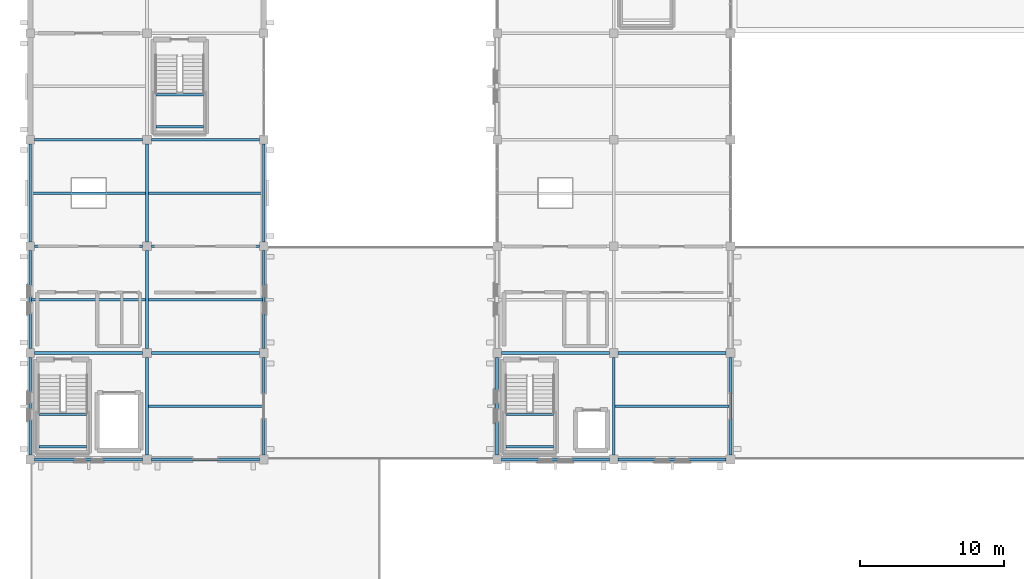
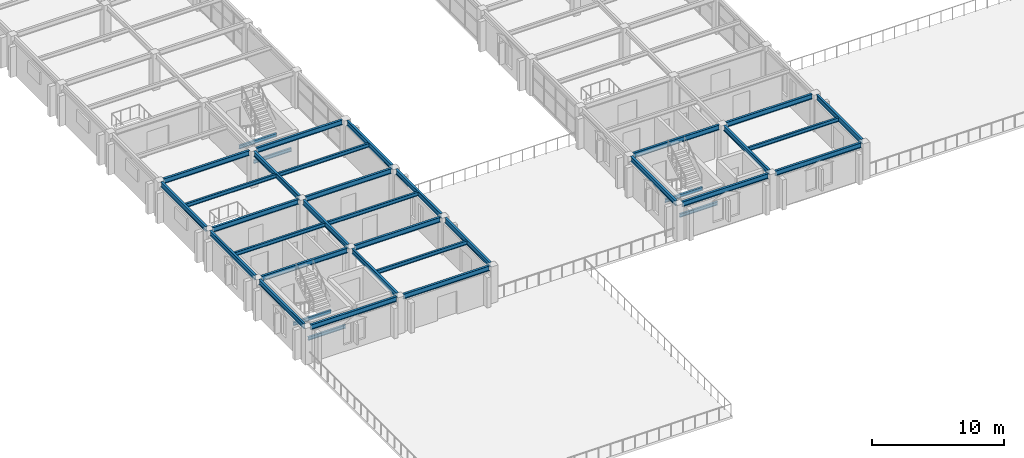
# One storey, part 9 of 121: 36 beams.
"""IFC4 building model written with IfcOpenShell, lengths in metres."""

from ifc_helpers import new_model, si_unit, direction, frame, origin, origin_2d, place, context, subcontext, project, spatial, i_section, extrude, material, material_profile, profile_set, type_object, element, save


model = new_model("IFC4")

# Units and contexts
model_context = context("Model", 3, precision=1e-05, world=origin(), true_north=direction((0.0, 1.0)))
body_context = subcontext(model_context, "Body", "Model", "MODEL_VIEW")
ifc_project = project(units=[si_unit("LENGTHUNIT", "METRE"), si_unit("AREAUNIT", "SQUARE_METRE"), si_unit("VOLUMEUNIT", "CUBIC_METRE"), si_unit("PLANEANGLEUNIT", "RADIAN"), si_unit("MASSUNIT", "GRAM", prefix="KILO")], contexts=[model_context])

# Site, building, storey
site_placement = place(None, origin())
site = spatial("IfcSite", under=ifc_project, at=site_placement, CompositionType="ELEMENT")
building_placement = place(site_placement, origin())
building = spatial("IfcBuilding", under=site, at=building_placement, Name="Cimatlan Art Gallery", CompositionType="ELEMENT")
storey_placement = place(building_placement, frame((0.0, 0.0, 10.199951171875)))
storey = spatial("IfcBuildingStorey", under=building, at=storey_placement, Name="L02", CompositionType="ELEMENT", Elevation=10.199951171875)

# Beams
ifc_material = material(Name="Steel ASTM A992 Grade 50", Category="steel")
ifc_material_profile_1 = material_profile(ifc_material, i_section(OverallWidth=0.1650390625, OverallDepth=0.31005859375, WebThickness=0.005859375, FlangeThickness=0.009765625, at=origin_2d()), Name="W12X26")
ifc_profile_set_1 = profile_set([ifc_material_profile_1], Name="Steel ASTM A992 Grade 50")
beam_type_1 = type_object("IfcBeamType", Name="BM-STL-W12X26", PredefinedType="JOIST", material=ifc_profile_set_1)
for number, where, z_axis, x_axis, name in (
    (1, (2.614990234375, 24.800048828125, 1.425048828125), (1.0, 0.0, 0.0), (0.0, 1.0, 0.0), "BM-STR-C1-L02-LH1"),
    (2, (2.614990234375, 27.030029296875, 1.425048828125), (1.0, 0.0, 0.0), (0.0, 1.0, 0.0), "BM-STR-C1-L02-LH2"),
    (3, (35.014892578125, 24.800048828125, 1.425048828125), (1.0, 0.0, 0.0), (0.0, 1.0, 0.0), "BM-STR-C2-L02-LH1"),
    (4, (35.014892578125, 27.030029296875, 1.425048828125), (1.0, 0.0, 0.0), (0.0, 1.0, 0.0), "BM-STR-C2-L02-LH2"),
):
    element("IfcBeam", number, at=place(storey_placement, frame(where, z_axis=z_axis, x_axis=x_axis)), inside=storey, type_object=beam_type_1, Name=name, PredefinedType="JOIST", context=body_context, shape_type="SweptSolid", body=[
        extrude(i_section(OverallWidth=0.1650390625, OverallDepth=0.31005859375, WebThickness=0.005859375, FlangeThickness=0.009765625, at=origin_2d()), origin(), (0.0, 0.0, 1.0), 3.2900390625),
    ])
for number, where, z_axis, x_axis, name in (
    (5, (10.715087890625, 47.0, 1.425048828125), (1.0, 0.0, 0.0), (0.0, 1.0, 0.0), "BM-STR-C7-L02-LH1"),
    (6, (10.715087890625, 49.22998046875, 1.425048828125), (1.0, 0.0, 0.0), (0.0, 1.0, 0.0), "BM-STR-C7-L02-LH2"),
):
    element("IfcBeam", number, at=place(storey_placement, frame(where, z_axis=z_axis, x_axis=x_axis)), inside=storey, type_object=beam_type_1, Name=name, PredefinedType="JOIST", context=body_context, shape_type="SweptSolid", body=[
        extrude(i_section(OverallWidth=0.1650390625, OverallDepth=0.31005859375, WebThickness=0.005859375, FlangeThickness=0.009765625, at=origin_2d()), origin(), (0.0, 0.0, 1.0), 3.289794921875),
    ])
ifc_material_profile_2 = material_profile(ifc_material, i_section(OverallWidth=0.1708984375, OverallDepth=0.35107421875, WebThickness=0.0068359375, FlangeThickness=0.009765625, at=origin_2d()), Name="W14X30")
ifc_profile_set_2 = profile_set([ifc_material_profile_2], Name="Steel ASTM A992 Grade 50")
beam_type_2 = type_object("IfcBeamType", Name="BM-STL-W14X30", PredefinedType="JOIST", material=ifc_profile_set_2)
for number, where, z_axis, x_axis, name in (
    (7, (2.095458984375, 35.0, 3.194580078125), (1.0, 0.0, 0.0), (0.0, 1.0, 0.0), "JST-L02-00-04"),
    (8, (2.095458984375, 42.39990234375, 3.194580078125), (1.0, 0.0, 0.0), (0.0, 1.0, 0.0), "JST-L02-00-05"),
    (9, (10.195556640625, 27.60009765625, 3.194580078125), (1.0, 0.0, 0.0), (0.0, 1.0, 0.0), "JST-L02-01-03"),
    (10, (10.195556640625, 35.0, 3.194580078125), (1.0, 0.0, 0.0), (0.0, 1.0, 0.0), "JST-L02-01-04"),
    (11, (10.195556640625, 42.39990234375, 3.194580078125), (1.0, 0.0, 0.0), (0.0, 1.0, 0.0), "JST-L02-01-05"),
    (12, (42.595458984375, 27.60009765625, 3.194580078125), (1.0, 0.0, 0.0), (0.0, 1.0, 0.0), "JST-L02-05-03"),
):
    element("IfcBeam", number, at=place(storey_placement, frame(where, z_axis=z_axis, x_axis=x_axis)), inside=storey, type_object=beam_type_2, Name=name, PredefinedType="JOIST", context=body_context, shape_type="SweptSolid", body=[
        extrude(i_section(OverallWidth=0.1708984375, OverallDepth=0.35107421875, WebThickness=0.0068359375, FlangeThickness=0.009765625, at=origin_2d()), origin(), (0.0, 0.0, 1.0), 7.908935546875),
    ])
ifc_material_profile_3 = material_profile(ifc_material, i_section(OverallWidth=0.19091796875, OverallDepth=0.45703125, WebThickness=0.009033203125, FlangeThickness=0.014404296875, at=origin_2d()), Name="W18X50")
ifc_profile_set_3 = profile_set([ifc_material_profile_3], Name="Steel ASTM A992 Grade 50")
beam_type_3 = type_object("IfcBeamType", Name="BM-STL-W18X50", PredefinedType="BEAM", material=ifc_profile_set_3)
beam_1_placement = place(storey_placement, frame((2.0, 24.199951171875, 3.1416015625), z_axis=(0.0, 1.0, 0.0), x_axis=(-1.0, 0.0, 0.0)))
element("IfcBeam", 13, at=beam_1_placement, inside=storey, type_object=beam_type_3, Name="BM-Y-L02-00-03", PredefinedType="BEAM", context=body_context, shape_type="SweptSolid", body=[
    extrude(i_section(OverallWidth=0.19091796875, OverallDepth=0.45703125, WebThickness=0.009033203125, FlangeThickness=0.014404296875, at=origin_2d()), origin(), (0.0, 0.0, 1.0), 6.800048828125),
])
beam_2_placement = place(storey_placement, frame((2.0, 31.60009765625, 3.1416015625), z_axis=(0.0, 1.0, 0.0), x_axis=(-1.0, 0.0, 0.0)))
element("IfcBeam", 14, at=beam_2_placement, inside=storey, type_object=beam_type_3, Name="BM-Y-L02-00-04", PredefinedType="BEAM", context=body_context, shape_type="SweptSolid", body=[
    extrude(i_section(OverallWidth=0.19091796875, OverallDepth=0.45703125, WebThickness=0.009033203125, FlangeThickness=0.014404296875, at=origin_2d()), origin(), (0.0, 0.0, 1.0), 6.7998046875),
])
for number, where, z_axis, x_axis, name in (
    (15, (2.0, 39.0, 3.1416015625), (0.0, 1.0, 0.0), (-1.0, 0.0, 0.0), "BM-Y-L02-00-05"),
    (16, (10.10009765625, 24.199951171875, 3.1416015625), (0.0, 1.0, 0.0), (-1.0, 0.0, 0.0), "BM-Y-L02-01-03"),
):
    element("IfcBeam", number, at=place(storey_placement, frame(where, z_axis=z_axis, x_axis=x_axis)), inside=storey, type_object=beam_type_3, Name=name, PredefinedType="BEAM", context=body_context, shape_type="SweptSolid", body=[
        extrude(i_section(OverallWidth=0.19091796875, OverallDepth=0.45703125, WebThickness=0.009033203125, FlangeThickness=0.014404296875, at=origin_2d()), origin(), (0.0, 0.0, 1.0), 6.800048828125),
    ])
beam_3_placement = place(storey_placement, frame((10.10009765625, 31.60009765625, 3.1416015625), z_axis=(0.0, 1.0, 0.0), x_axis=(-1.0, 0.0, 0.0)))
element("IfcBeam", 17, at=beam_3_placement, inside=storey, type_object=beam_type_3, Name="BM-Y-L02-01-04", PredefinedType="BEAM", context=body_context, shape_type="SweptSolid", body=[
    extrude(i_section(OverallWidth=0.19091796875, OverallDepth=0.45703125, WebThickness=0.009033203125, FlangeThickness=0.014404296875, at=origin_2d()), origin(), (0.0, 0.0, 1.0), 6.7998046875),
])
for number, where, z_axis, x_axis, name in (
    (18, (10.10009765625, 39.0, 3.1416015625), (0.0, 1.0, 0.0), (-1.0, 0.0, 0.0), "BM-Y-L02-01-05"),
    (19, (18.199951171875, 24.199951171875, 3.1416015625), (0.0, 1.0, 0.0), (-1.0, 0.0, 0.0), "BM-Y-L02-02-03"),
):
    element("IfcBeam", number, at=place(storey_placement, frame(where, z_axis=z_axis, x_axis=x_axis)), inside=storey, type_object=beam_type_3, Name=name, PredefinedType="BEAM", context=body_context, shape_type="SweptSolid", body=[
        extrude(i_section(OverallWidth=0.19091796875, OverallDepth=0.45703125, WebThickness=0.009033203125, FlangeThickness=0.014404296875, at=origin_2d()), origin(), (0.0, 0.0, 1.0), 6.800048828125),
    ])
beam_4_placement = place(storey_placement, frame((18.199951171875, 31.60009765625, 3.1416015625), z_axis=(0.0, 1.0, 0.0), x_axis=(-1.0, 0.0, 0.0)))
element("IfcBeam", 20, at=beam_4_placement, inside=storey, type_object=beam_type_3, Name="BM-Y-L02-02-04", PredefinedType="BEAM", context=body_context, shape_type="SweptSolid", body=[
    extrude(i_section(OverallWidth=0.19091796875, OverallDepth=0.45703125, WebThickness=0.009033203125, FlangeThickness=0.014404296875, at=origin_2d()), origin(), (0.0, 0.0, 1.0), 6.7998046875),
])
for number, where, z_axis, x_axis, name in (
    (21, (18.199951171875, 39.0, 3.1416015625), (0.0, 1.0, 0.0), (-1.0, 0.0, 0.0), "BM-Y-L02-02-05"),
    (22, (34.39990234375, 24.199951171875, 3.1416015625), (0.0, 1.0, 0.0), (-1.0, 0.0, 0.0), "BM-Y-L02-04-03"),
    (23, (42.5, 24.199951171875, 3.1416015625), (0.0, 1.0, 0.0), (-1.0, 0.0, 0.0), "BM-Y-L02-05-03"),
    (24, (50.60009765625, 24.199951171875, 3.1416015625), (0.0, 1.0, 0.0), (-1.0, 0.0, 0.0), "BM-Y-L02-06-03"),
):
    element("IfcBeam", number, at=place(storey_placement, frame(where, z_axis=z_axis, x_axis=x_axis)), inside=storey, type_object=beam_type_3, Name=name, PredefinedType="BEAM", context=body_context, shape_type="SweptSolid", body=[
        extrude(i_section(OverallWidth=0.19091796875, OverallDepth=0.45703125, WebThickness=0.009033203125, FlangeThickness=0.014404296875, at=origin_2d()), origin(), (0.0, 0.0, 1.0), 6.800048828125),
    ])
for number, where, z_axis, x_axis, name in (
    (25, (2.300048828125, 23.89990234375, 3.1416015625), (1.0, 0.0, 0.0), (0.0, 1.0, 0.0), "BM-X-L02-00-03"),
    (26, (2.300048828125, 31.300048828125, 3.1416015625), (1.0, 0.0, 0.0), (0.0, 1.0, 0.0), "BM-X-L02-00-04"),
    (27, (2.300048828125, 38.699951171875, 3.1416015625), (1.0, 0.0, 0.0), (0.0, 1.0, 0.0), "BM-X-L02-00-05"),
    (28, (2.300048828125, 46.10009765625, 3.1416015625), (1.0, 0.0, 0.0), (0.0, 1.0, 0.0), "BM-X-L02-00-06"),
    (29, (10.39990234375, 23.89990234375, 3.1416015625), (1.0, 0.0, 0.0), (0.0, 1.0, 0.0), "BM-X-L02-01-03"),
    (30, (10.39990234375, 31.300048828125, 3.1416015625), (1.0, 0.0, 0.0), (0.0, 1.0, 0.0), "BM-X-L02-01-04"),
    (31, (10.39990234375, 38.699951171875, 3.1416015625), (1.0, 0.0, 0.0), (0.0, 1.0, 0.0), "BM-X-L02-01-05"),
    (32, (10.39990234375, 46.10009765625, 3.1416015625), (1.0, 0.0, 0.0), (0.0, 1.0, 0.0), "BM-X-L02-01-06"),
    (33, (34.699951171875, 23.89990234375, 3.1416015625), (1.0, 0.0, 0.0), (0.0, 1.0, 0.0), "BM-X-L02-04-03"),
    (34, (34.699951171875, 31.300048828125, 3.1416015625), (1.0, 0.0, 0.0), (0.0, 1.0, 0.0), "BM-X-L02-04-04"),
    (35, (42.800048828125, 23.89990234375, 3.1416015625), (1.0, 0.0, 0.0), (0.0, 1.0, 0.0), "BM-X-L02-05-03"),
    (36, (42.800048828125, 31.300048828125, 3.1416015625), (1.0, 0.0, 0.0), (0.0, 1.0, 0.0), "BM-X-L02-05-04"),
):
    element("IfcBeam", number, at=place(storey_placement, frame(where, z_axis=z_axis, x_axis=x_axis)), inside=storey, type_object=beam_type_3, Name=name, PredefinedType="BEAM", context=body_context, shape_type="SweptSolid", body=[
        extrude(i_section(OverallWidth=0.19091796875, OverallDepth=0.45703125, WebThickness=0.009033203125, FlangeThickness=0.014404296875, at=origin_2d()), origin(), (0.0, 0.0, 1.0), 7.5),
    ])

save(model, "model.ifc")
